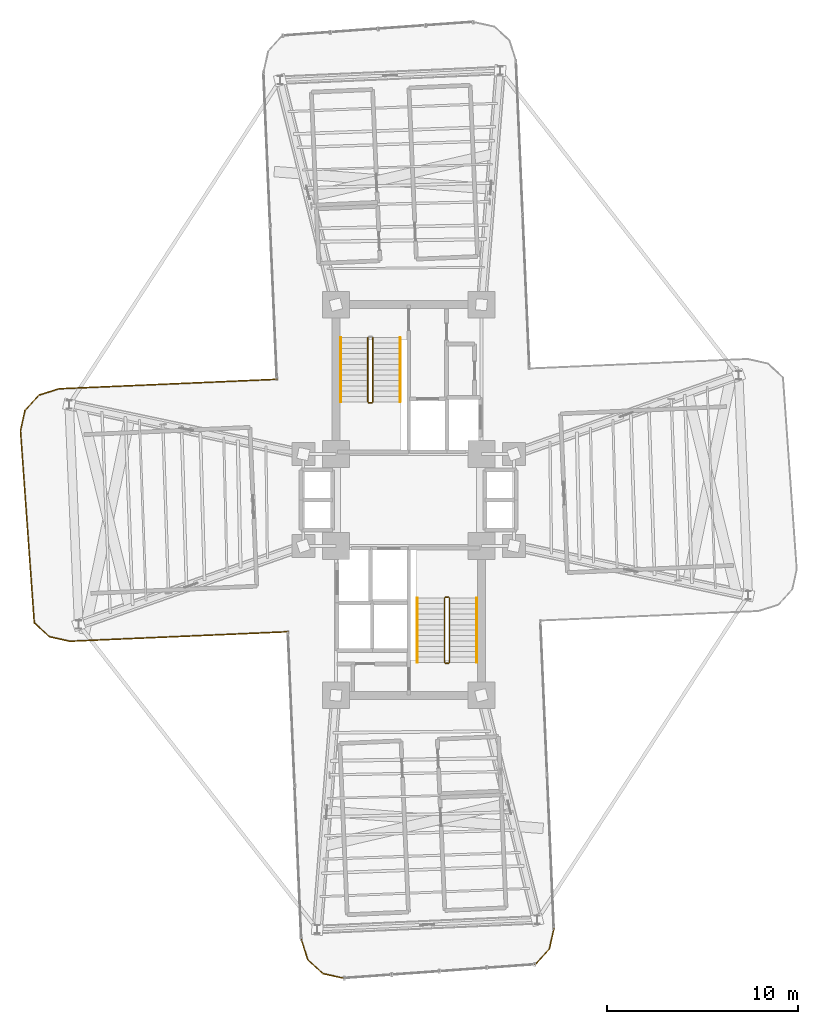
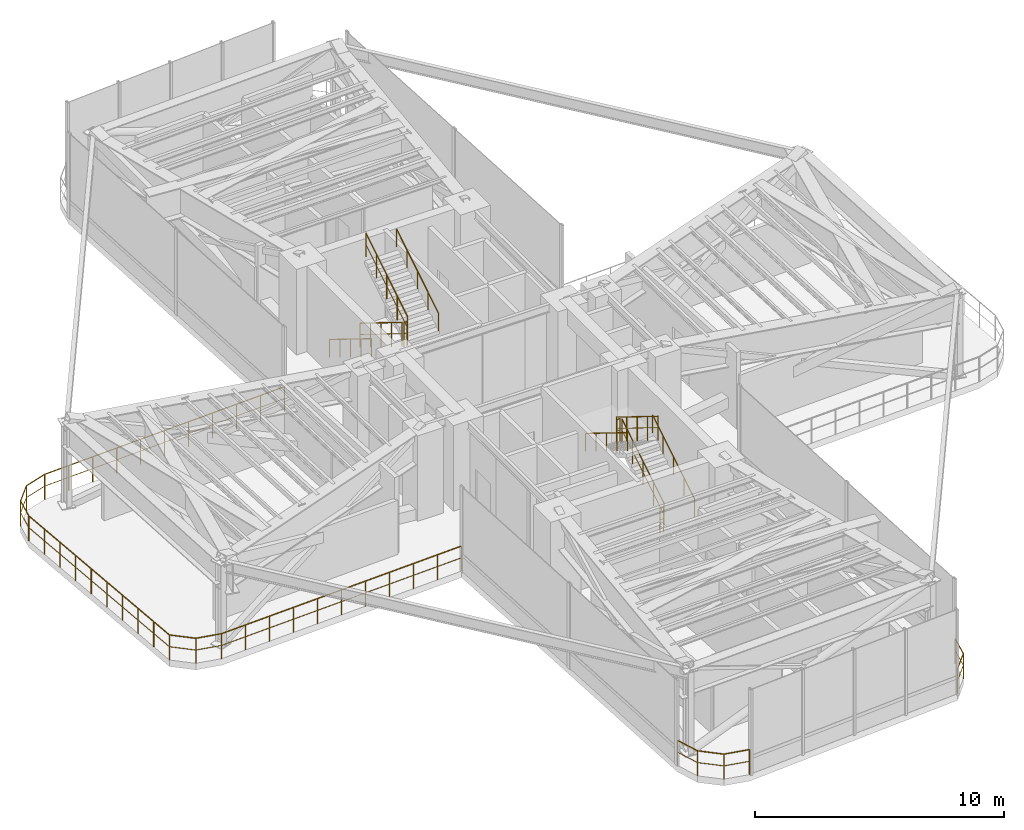
# One storey, part 17 of 18: 24 railings.
"""IFC4 building model written with IfcOpenShell, lengths in metres."""

from ifc_helpers import new_model, si_unit, direction, frame, origin, origin_2d, place, context, subcontext, project, spatial, circle, extrude, material, type_object, element, save


model = new_model("IFC4")

# Units and contexts
model_context = context("Model", 3, precision=1e-05, world=origin(), true_north=direction((0.0, 1.0)))
body_context = subcontext(model_context, "Body", "Model", "MODEL_VIEW")
ifc_project = project(units=[si_unit("LENGTHUNIT", "METRE"), si_unit("AREAUNIT", "SQUARE_METRE"), si_unit("VOLUMEUNIT", "CUBIC_METRE"), si_unit("PLANEANGLEUNIT", "RADIAN"), si_unit("MASSUNIT", "GRAM", prefix="KILO")], contexts=[model_context])

# Site, building, storey
site_placement = place(None, origin())
site = spatial("IfcSite", under=ifc_project, at=site_placement, CompositionType="ELEMENT")
building_placement = place(site_placement, origin())
building = spatial("IfcBuilding", under=site, at=building_placement, Name="Sahyath Konkavel Grand Hotel", CompositionType="ELEMENT")
storey_placement = place(building_placement, frame((0.0, 0.0, 138.25)))
storey = spatial("IfcBuildingStorey", under=building, at=storey_placement, Name="L38", CompositionType="ELEMENT", Elevation=138.25)

# Railings
ifc_material_1 = material(Name="Steel E350", Category="steel")
railing_type_1 = type_object("IfcRailingType", Name="RLG-STAIR-GRD", PredefinedType="GUARDRAIL", material=ifc_material_1)
railing_1_placement = place(storey_placement, frame((-2.1298828125, 8.47998046875, 0.173095703125)))
element("IfcRailing", 1, at=railing_1_placement, inside=storey, type_object=railing_type_1, Name="L38 ST-1 stair guard 1", PredefinedType="GUARDRAIL", context=body_context, shape_type="SweptSolid", body=[
    extrude(circle(Radius=0.02392578125, at=origin_2d()), frame((0.0, -0.001708984375, 1.177001953125), z_axis=(0.0, -0.850606129759, 0.525803396734), x_axis=(1.0, 0.0, 0.0)), (0.0, 0.0, 1.0), 3.946044921875),
    extrude(circle(Radius=0.01416015625, at=origin_2d()), frame((0.0, -0.001708984375, 0.625), z_axis=(0.0, -0.850606129759, 0.525803396734), x_axis=(1.0, 0.0, 0.0)), (0.0, 0.0, 1.0), 3.946044921875),
    extrude(circle(Radius=0.02099609375, at=origin_2d()), origin(), (0.0, 0.0, 1.0), 1.15185546875),
    extrude(circle(Radius=0.02099609375, at=origin_2d()), frame((0.0, -0.83984375, 0.519287109375)), (0.0, 0.0, 1.0), 1.15185546875),
    extrude(circle(Radius=0.02099609375, at=origin_2d()), frame((0.0, -1.679931640625, 1.03857421875)), (0.0, 0.0, 1.0), 1.15185546875),
    extrude(circle(Radius=0.02099609375, at=origin_2d()), frame((0.0, -2.52001953125, 1.5576171875)), (0.0, 0.0, 1.0), 1.15185546875),
    extrude(circle(Radius=0.02099609375, at=origin_2d()), frame((0.0, -3.35986328125, 2.076904296875)), (0.0, 0.0, 1.0), 1.15185546875),
])
railing_2_placement = place(storey_placement, frame((-2.080078125, 5.070068359375, 2.25)))
element("IfcRailing", 2, at=railing_2_placement, inside=storey, type_object=railing_type_1, Name="L38 ST-1 stair guard 2", PredefinedType="GUARDRAIL", context=body_context, shape_type="SweptSolid", body=[
    extrude(circle(Radius=0.02392578125, at=origin_2d()), frame((0.001953125, 0.0, 1.17578125), z_axis=(1.0, 0.0, 0.0), x_axis=(0.0, 1.0, 0.0)), (0.0, 0.0, 1.0), 0.15625),
    extrude(circle(Radius=0.01416015625, at=origin_2d()), frame((0.001953125, 0.0, 0.6240234375), z_axis=(1.0, 0.0, 0.0), x_axis=(0.0, 1.0, 0.0)), (0.0, 0.0, 1.0), 0.15625),
    extrude(circle(Radius=0.02099609375, at=origin_2d()), origin(), (0.0, 0.0, 1.0), 1.15185546875),
    extrude(circle(Radius=0.02099609375, at=origin_2d()), frame((0.16015625, 0.0, 0.0)), (0.0, 0.0, 1.0), 1.15185546875),
])
for number, where, name in (
    (3, (-1.8701171875, 5.1201171875, 2.423095703125), "L38 ST-1 stair guard 3"),
    (4, (2.1298828125, -8.47998046875, 0.173095703125), "L38 ST-2 stair guard 1"),
):
    element("IfcRailing", number, at=place(storey_placement, frame(where)), inside=storey, type_object=railing_type_1, Name=name, PredefinedType="GUARDRAIL", context=body_context, shape_type="SweptSolid", body=[
        extrude(circle(Radius=0.02392578125, at=origin_2d()), frame((0.0, 0.001708984375, 1.177001953125), z_axis=(0.0, 0.850606129759, 0.525803396734), x_axis=(-1.0, 0.0, 0.0)), (0.0, 0.0, 1.0), 3.946044921875),
        extrude(circle(Radius=0.01416015625, at=origin_2d()), frame((0.0, 0.001708984375, 0.625), z_axis=(0.0, 0.850606129759, 0.525803396734), x_axis=(-1.0, 0.0, 0.0)), (0.0, 0.0, 1.0), 3.946044921875),
        extrude(circle(Radius=0.02099609375, at=origin_2d()), origin(), (0.0, 0.0, 1.0), 1.15185546875),
        extrude(circle(Radius=0.02099609375, at=origin_2d()), frame((0.0, 0.83984375, 0.519287109375)), (0.0, 0.0, 1.0), 1.15185546875),
        extrude(circle(Radius=0.02099609375, at=origin_2d()), frame((0.0, 1.679931640625, 1.03857421875)), (0.0, 0.0, 1.0), 1.15185546875),
        extrude(circle(Radius=0.02099609375, at=origin_2d()), frame((0.0, 2.52001953125, 1.5576171875)), (0.0, 0.0, 1.0), 1.15185546875),
        extrude(circle(Radius=0.02099609375, at=origin_2d()), frame((0.0, 3.35986328125, 2.076904296875)), (0.0, 0.0, 1.0), 1.15185546875),
    ])
railing_3_placement = place(storey_placement, frame((2.080078125, -5.070068359375, 2.25)))
element("IfcRailing", 5, at=railing_3_placement, inside=storey, type_object=railing_type_1, Name="L38 ST-2 stair guard 2", PredefinedType="GUARDRAIL", context=body_context, shape_type="SweptSolid", body=[
    extrude(circle(Radius=0.02392578125, at=origin_2d()), frame((-0.001953125, 0.0, 1.17578125), z_axis=(-1.0, 0.0, 0.0), x_axis=(0.0, -1.0, 0.0)), (0.0, 0.0, 1.0), 0.15625),
    extrude(circle(Radius=0.01416015625, at=origin_2d()), frame((-0.001953125, 0.0, 0.6240234375), z_axis=(-1.0, 0.0, 0.0), x_axis=(0.0, -1.0, 0.0)), (0.0, 0.0, 1.0), 0.15625),
    extrude(circle(Radius=0.02099609375, at=origin_2d()), origin(), (0.0, 0.0, 1.0), 1.15185546875),
    extrude(circle(Radius=0.02099609375, at=origin_2d()), frame((-0.16015625, 0.0, 0.0)), (0.0, 0.0, 1.0), 1.15185546875),
])
railing_4_placement = place(storey_placement, frame((1.8701171875, -5.1201171875, 2.423095703125)))
element("IfcRailing", 6, at=railing_4_placement, inside=storey, type_object=railing_type_1, Name="L38 ST-2 stair guard 3", PredefinedType="GUARDRAIL", context=body_context, shape_type="SweptSolid", body=[
    extrude(circle(Radius=0.02392578125, at=origin_2d()), frame((0.0, -0.001708984375, 1.177001953125), z_axis=(0.0, -0.850606129759, 0.525803396734), x_axis=(1.0, 0.0, 0.0)), (0.0, 0.0, 1.0), 3.946044921875),
    extrude(circle(Radius=0.01416015625, at=origin_2d()), frame((0.0, -0.001708984375, 0.625), z_axis=(0.0, -0.850606129759, 0.525803396734), x_axis=(1.0, 0.0, 0.0)), (0.0, 0.0, 1.0), 3.946044921875),
    extrude(circle(Radius=0.02099609375, at=origin_2d()), origin(), (0.0, 0.0, 1.0), 1.15185546875),
    extrude(circle(Radius=0.02099609375, at=origin_2d()), frame((0.0, -0.83984375, 0.519287109375)), (0.0, 0.0, 1.0), 1.15185546875),
    extrude(circle(Radius=0.02099609375, at=origin_2d()), frame((0.0, -1.679931640625, 1.03857421875)), (0.0, 0.0, 1.0), 1.15185546875),
    extrude(circle(Radius=0.02099609375, at=origin_2d()), frame((0.0, -2.52001953125, 1.5576171875)), (0.0, 0.0, 1.0), 1.15185546875),
    extrude(circle(Radius=0.02099609375, at=origin_2d()), frame((0.0, -3.35986328125, 2.076904296875)), (0.0, 0.0, 1.0), 1.15185546875),
])
railing_5_placement = place(storey_placement, frame((2.080078125, -8.530029296875, 0.0)))
element("IfcRailing", 7, at=railing_5_placement, inside=storey, type_object=railing_type_1, Name="L38 ST-2 stair guard 4", PredefinedType="GUARDRAIL", context=body_context, shape_type="SweptSolid", body=[
    extrude(circle(Radius=0.02392578125, at=origin_2d()), frame((-0.001953125, 0.0, 1.17578125), z_axis=(-1.0, 0.0, 0.0), x_axis=(0.0, -1.0, 0.0)), (0.0, 0.0, 1.0), 0.15625),
    extrude(circle(Radius=0.01416015625, at=origin_2d()), frame((-0.001953125, 0.0, 0.6240234375), z_axis=(-1.0, 0.0, 0.0), x_axis=(0.0, -1.0, 0.0)), (0.0, 0.0, 1.0), 0.15625),
    extrude(circle(Radius=0.02099609375, at=origin_2d()), origin(), (0.0, 0.0, 1.0), 1.15185546875),
    extrude(circle(Radius=0.02099609375, at=origin_2d()), frame((-0.16015625, 0.0, 0.0)), (0.0, 0.0, 1.0), 1.15185546875),
])
ifc_material_2 = material(Name="Anodised Bronze Aluminium", Category="aluminium")
railing_type_2 = type_object("IfcRailingType", Name="RLG-STAIR-HND", PredefinedType="HANDRAIL", material=ifc_material_2)
railing_6_placement = place(storey_placement, frame((-3.550048828125, 8.47998046875, 0.173095703125)))
element("IfcRailing", 8, at=railing_6_placement, inside=storey, type_object=railing_type_2, Name="L38 ST-1 stair handrail 1", PredefinedType="HANDRAIL", context=body_context, shape_type="SweptSolid", body=[
    extrude(circle(Radius=0.02392578125, at=origin_2d()), frame((0.0, -0.001708984375, 0.876953125), z_axis=(0.0, -0.850606129759, 0.525803396734), x_axis=(1.0, 0.0, 0.0)), (0.0, 0.0, 1.0), 3.946044921875),
    extrude(circle(Radius=0.02099609375, at=origin_2d()), origin(), (0.0, 0.0, 1.0), 0.851806640625),
    extrude(circle(Radius=0.02099609375, at=origin_2d()), frame((0.0, -0.83984375, 0.519287109375)), (0.0, 0.0, 1.0), 0.851806640625),
    extrude(circle(Radius=0.02099609375, at=origin_2d()), frame((0.0, -1.679931640625, 1.03857421875)), (0.0, 0.0, 1.0), 0.851806640625),
    extrude(circle(Radius=0.02099609375, at=origin_2d()), frame((0.0, -2.52001953125, 1.5576171875)), (0.0, 0.0, 1.0), 0.851806640625),
    extrude(circle(Radius=0.02099609375, at=origin_2d()), frame((0.0, -3.35986328125, 2.076904296875)), (0.0, 0.0, 1.0), 0.851806640625),
])
for number, where, name in (
    (9, (-0.449951171875, 5.1201171875, 2.423095703125), "L38 ST-1 stair handrail 2"),
    (10, (3.550048828125, -8.47998046875, 0.173095703125), "L38 ST-2 stair handrail 1"),
):
    element("IfcRailing", number, at=place(storey_placement, frame(where)), inside=storey, type_object=railing_type_2, Name=name, PredefinedType="HANDRAIL", context=body_context, shape_type="SweptSolid", body=[
        extrude(circle(Radius=0.02392578125, at=origin_2d()), frame((0.0, 0.001708984375, 0.876953125), z_axis=(0.0, 0.850606129759, 0.525803396734), x_axis=(-1.0, 0.0, 0.0)), (0.0, 0.0, 1.0), 3.946044921875),
        extrude(circle(Radius=0.02099609375, at=origin_2d()), origin(), (0.0, 0.0, 1.0), 0.851806640625),
        extrude(circle(Radius=0.02099609375, at=origin_2d()), frame((0.0, 0.83984375, 0.519287109375)), (0.0, 0.0, 1.0), 0.851806640625),
        extrude(circle(Radius=0.02099609375, at=origin_2d()), frame((0.0, 1.679931640625, 1.03857421875)), (0.0, 0.0, 1.0), 0.851806640625),
        extrude(circle(Radius=0.02099609375, at=origin_2d()), frame((0.0, 2.52001953125, 1.5576171875)), (0.0, 0.0, 1.0), 0.851806640625),
        extrude(circle(Radius=0.02099609375, at=origin_2d()), frame((0.0, 3.35986328125, 2.076904296875)), (0.0, 0.0, 1.0), 0.851806640625),
    ])
railing_7_placement = place(storey_placement, frame((0.449951171875, -5.1201171875, 2.423095703125)))
element("IfcRailing", 11, at=railing_7_placement, inside=storey, type_object=railing_type_2, Name="L38 ST-2 stair handrail 2", PredefinedType="HANDRAIL", context=body_context, shape_type="SweptSolid", body=[
    extrude(circle(Radius=0.02392578125, at=origin_2d()), frame((0.0, -0.001708984375, 0.876953125), z_axis=(0.0, -0.850606129759, 0.525803396734), x_axis=(1.0, 0.0, 0.0)), (0.0, 0.0, 1.0), 3.946044921875),
    extrude(circle(Radius=0.02099609375, at=origin_2d()), origin(), (0.0, 0.0, 1.0), 0.851806640625),
    extrude(circle(Radius=0.02099609375, at=origin_2d()), frame((0.0, -0.83984375, 0.519287109375)), (0.0, 0.0, 1.0), 0.851806640625),
    extrude(circle(Radius=0.02099609375, at=origin_2d()), frame((0.0, -1.679931640625, 1.03857421875)), (0.0, 0.0, 1.0), 0.851806640625),
    extrude(circle(Radius=0.02099609375, at=origin_2d()), frame((0.0, -2.52001953125, 1.5576171875)), (0.0, 0.0, 1.0), 0.851806640625),
    extrude(circle(Radius=0.02099609375, at=origin_2d()), frame((0.0, -3.35986328125, 2.076904296875)), (0.0, 0.0, 1.0), 0.851806640625),
])
ifc_material_3 = material(Name="Warm Buff Sandstone & Bronze Balustrade", Category="masonry")
railing_type_3 = type_object("IfcRailingType", Name="RLG-TERR-1250", PredefinedType="BALUSTRADE", material=ifc_material_3)
railing_8_placement = place(storey_placement, frame((-6.881591796875, 6.305908203125, 0.0)))
element("IfcRailing", 12, at=railing_8_placement, inside=storey, type_object=railing_type_3, Name="L38 Fire Refuge Perimeter Guard 16", PredefinedType="BALUSTRADE", context=body_context, shape_type="SweptSolid", body=[
    extrude(circle(Radius=0.02392578125, at=origin_2d()), frame((-0.001953125, 0.0, 1.22607421875), z_axis=(-0.999048019042, -0.04362402604, 0.0), x_axis=(0.04362402604, -0.999048019042, 0.0)), (0.0, 0.0, 1.0), 11.39599609375),
    extrude(circle(Radius=0.01416015625, at=origin_2d()), frame((-0.001953125, 0.0, 0.64990234375), z_axis=(-0.999048019042, -0.04362402604, 0.0), x_axis=(0.04362402604, -0.999048019042, 0.0)), (0.0, 0.0, 1.0), 11.39599609375),
    extrude(circle(Radius=0.02099609375, at=origin_2d()), origin(), (0.0, 0.0, 1.0), 1.201904296875),
    extrude(circle(Radius=0.02099609375, at=origin_2d()), frame((-1.138916015625, -0.0498046875, 0.0)), (0.0, 0.0, 1.0), 1.201904296875),
    extrude(circle(Radius=0.02099609375, at=origin_2d()), frame((-2.27783203125, -0.099365234375, 0.0)), (0.0, 0.0, 1.0), 1.201904296875),
    extrude(circle(Radius=0.02099609375, at=origin_2d()), frame((-3.416748046875, -0.149169921875, 0.0)), (0.0, 0.0, 1.0), 1.201904296875),
    extrude(circle(Radius=0.02099609375, at=origin_2d()), frame((-4.5556640625, -0.198974609375, 0.0)), (0.0, 0.0, 1.0), 1.201904296875),
    extrude(circle(Radius=0.02099609375, at=origin_2d()), frame((-5.694580078125, -0.24853515625, 0.0)), (0.0, 0.0, 1.0), 1.201904296875),
    extrude(circle(Radius=0.02099609375, at=origin_2d()), frame((-6.83349609375, -0.29833984375, 0.0)), (0.0, 0.0, 1.0), 1.201904296875),
    extrude(circle(Radius=0.02099609375, at=origin_2d()), frame((-7.972412109375, -0.34814453125, 0.0)), (0.0, 0.0, 1.0), 1.201904296875),
    extrude(circle(Radius=0.02099609375, at=origin_2d()), frame((-9.111328125, -0.39794921875, 0.0)), (0.0, 0.0, 1.0), 1.201904296875),
    extrude(circle(Radius=0.02099609375, at=origin_2d()), frame((-10.250244140625, -0.447509765625, 0.0)), (0.0, 0.0, 1.0), 1.201904296875),
    extrude(circle(Radius=0.02099609375, at=origin_2d()), frame((-11.38916015625, -0.497314453125, 0.0)), (0.0, 0.0, 1.0), 1.201904296875),
])
railing_9_placement = place(storey_placement, frame((-18.270751953125, 5.80859375, 0.0)))
element("IfcRailing", 13, at=railing_9_placement, inside=storey, type_object=railing_type_3, Name="L38 Fire Refuge Perimeter Guard 17", PredefinedType="BALUSTRADE", context=body_context, shape_type="SweptSolid", body=[
    extrude(circle(Radius=0.02392578125, at=origin_2d()), frame((-0.001953125, -0.00048828125, 1.22607421875), z_axis=(-0.953721713582, -0.30069069331, 0.0), x_axis=(0.30069069331, -0.953721713582, 0.0)), (0.0, 0.0, 1.0), 1.083251953125),
    extrude(circle(Radius=0.01416015625, at=origin_2d()), frame((-0.001953125, -0.00048828125, 0.64990234375), z_axis=(-0.953721713582, -0.30069069331, 0.0), x_axis=(0.30069069331, -0.953721713582, 0.0)), (0.0, 0.0, 1.0), 1.083251953125),
    extrude(circle(Radius=0.02099609375, at=origin_2d()), origin(), (0.0, 0.0, 1.0), 1.201904296875),
    extrude(circle(Radius=0.02099609375, at=origin_2d()), frame((-1.036865234375, -0.326904296875, 0.0)), (0.0, 0.0, 1.0), 1.201904296875),
])
railing_10_placement = place(storey_placement, frame((-19.3076171875, 5.481689453125, 0.0)))
element("IfcRailing", 14, at=railing_10_placement, inside=storey, type_object=railing_type_3, Name="L38 Fire Refuge Perimeter Guard 18", PredefinedType="BALUSTRADE", context=body_context, shape_type="SweptSolid", body=[
    extrude(circle(Radius=0.02392578125, at=origin_2d()), frame((-0.00146484375, -0.00146484375, 1.22607421875), z_axis=(-0.675551721847, -0.737312600672, 0.0), x_axis=(0.737312600672, -0.675551721847, 0.0)), (0.0, 0.0, 1.0), 1.0830078125),
    extrude(circle(Radius=0.01416015625, at=origin_2d()), frame((-0.00146484375, -0.00146484375, 0.64990234375), z_axis=(-0.675551721847, -0.737312600672, 0.0), x_axis=(0.737312600672, -0.675551721847, 0.0)), (0.0, 0.0, 1.0), 1.0830078125),
    extrude(circle(Radius=0.02099609375, at=origin_2d()), origin(), (0.0, 0.0, 1.0), 1.201904296875),
    extrude(circle(Radius=0.02099609375, at=origin_2d()), frame((-0.734375, -0.801513671875, 0.0)), (0.0, 0.0, 1.0), 1.201904296875),
])
railing_11_placement = place(storey_placement, frame((-20.0419921875, 4.68017578125, 0.0)))
element("IfcRailing", 15, at=railing_11_placement, inside=storey, type_object=railing_type_3, Name="L38 Fire Refuge Perimeter Guard 19", PredefinedType="BALUSTRADE", context=body_context, shape_type="SweptSolid", body=[
    extrude(circle(Radius=0.02392578125, at=origin_2d()), frame((-0.00048828125, -0.001953125, 1.22607421875), z_axis=(-0.216288323511, -0.976329535102, 0.0), x_axis=(0.976329535102, -0.216288323511, 0.0)), (0.0, 0.0, 1.0), 1.0830078125),
    extrude(circle(Radius=0.01416015625, at=origin_2d()), frame((-0.00048828125, -0.001953125, 0.64990234375), z_axis=(-0.216288323511, -0.976329535102, 0.0), x_axis=(0.976329535102, -0.216288323511, 0.0)), (0.0, 0.0, 1.0), 1.0830078125),
    extrude(circle(Radius=0.02099609375, at=origin_2d()), origin(), (0.0, 0.0, 1.0), 1.201904296875),
    extrude(circle(Radius=0.02099609375, at=origin_2d()), frame((-0.235107421875, -1.061279296875, 0.0)), (0.0, 0.0, 1.0), 1.201904296875),
])
railing_12_placement = place(storey_placement, frame((-20.277099609375, 3.618896484375, 0.0)))
element("IfcRailing", 16, at=railing_12_placement, inside=storey, type_object=railing_type_3, Name="L38 Fire Refuge Perimeter Guard 20", PredefinedType="BALUSTRADE", context=body_context, shape_type="SweptSolid", body=[
    extrude(circle(Radius=0.02392578125, at=origin_2d()), frame((0.000244140625, -0.001953125, 1.22607421875), z_axis=(0.071562852438, -0.997436092264, 0.0), x_axis=(0.997436092264, 0.071562852438, 0.0)), (0.0, 0.0, 1.0), 10.0498046875),
    extrude(circle(Radius=0.01416015625, at=origin_2d()), frame((0.000244140625, -0.001953125, 0.64990234375), z_axis=(0.071562852438, -0.997436092264, 0.0), x_axis=(0.997436092264, 0.071562852438, 0.0)), (0.0, 0.0, 1.0), 10.0498046875),
    extrude(circle(Radius=0.02099609375, at=origin_2d()), origin(), (0.0, 0.0, 1.0), 1.201904296875),
    extrude(circle(Radius=0.02099609375, at=origin_2d()), frame((0.079833984375, -1.1142578125, 0.0)), (0.0, 0.0, 1.0), 1.201904296875),
    extrude(circle(Radius=0.02099609375, at=origin_2d()), frame((0.159912109375, -2.228515625, 0.0)), (0.0, 0.0, 1.0), 1.201904296875),
    extrude(circle(Radius=0.02099609375, at=origin_2d()), frame((0.23974609375, -3.3427734375, 0.0)), (0.0, 0.0, 1.0), 1.201904296875),
    extrude(circle(Radius=0.02099609375, at=origin_2d()), frame((0.31982421875, -4.45703125, 0.0)), (0.0, 0.0, 1.0), 1.201904296875),
    extrude(circle(Radius=0.02099609375, at=origin_2d()), frame((0.399658203125, -5.571044921875, 0.0)), (0.0, 0.0, 1.0), 1.201904296875),
    extrude(circle(Radius=0.02099609375, at=origin_2d()), frame((0.479736328125, -6.685302734375, 0.0)), (0.0, 0.0, 1.0), 1.201904296875),
    extrude(circle(Radius=0.02099609375, at=origin_2d()), frame((0.5595703125, -7.799560546875, 0.0)), (0.0, 0.0, 1.0), 1.201904296875),
    extrude(circle(Radius=0.02099609375, at=origin_2d()), frame((0.6396484375, -8.913818359375, 0.0)), (0.0, 0.0, 1.0), 1.201904296875),
    extrude(circle(Radius=0.02099609375, at=origin_2d()), frame((0.719482421875, -10.028076171875, 0.0)), (0.0, 0.0, 1.0), 1.201904296875),
])
railing_13_placement = place(storey_placement, frame((-19.5576171875, -6.4091796875, 0.0)))
element("IfcRailing", 17, at=railing_13_placement, inside=storey, type_object=railing_type_3, Name="L38 Fire Refuge Perimeter Guard 21", PredefinedType="BALUSTRADE", context=body_context, shape_type="SweptSolid", body=[
    extrude(circle(Radius=0.02392578125, at=origin_2d()), frame((0.00146484375, -0.00146484375, 1.22607421875), z_axis=(0.737210081318, -0.675663596772, 0.0), x_axis=(0.675663596772, 0.737210081318, 0.0)), (0.0, 0.0, 1.0), 1.0830078125),
    extrude(circle(Radius=0.01416015625, at=origin_2d()), frame((0.00146484375, -0.00146484375, 0.64990234375), z_axis=(0.737210081318, -0.675663596772, 0.0), x_axis=(0.675663596772, 0.737210081318, 0.0)), (0.0, 0.0, 1.0), 1.0830078125),
    extrude(circle(Radius=0.02099609375, at=origin_2d()), origin(), (0.0, 0.0, 1.0), 1.201904296875),
    extrude(circle(Radius=0.02099609375, at=origin_2d()), frame((0.80126953125, -0.734375, 0.0)), (0.0, 0.0, 1.0), 1.201904296875),
])
railing_14_placement = place(storey_placement, frame((-18.75634765625, -7.1435546875, 0.0)))
element("IfcRailing", 18, at=railing_14_placement, inside=storey, type_object=railing_type_3, Name="L38 Fire Refuge Perimeter Guard 22", PredefinedType="BALUSTRADE", context=body_context, shape_type="SweptSolid", body=[
    extrude(circle(Radius=0.02392578125, at=origin_2d()), frame((0.001953125, -0.00048828125, 1.22607421875), z_axis=(0.976282085775, -0.216502399514, 0.0), x_axis=(0.216502399514, 0.976282085775, 0.0)), (0.0, 0.0, 1.0), 1.0830078125),
    extrude(circle(Radius=0.01416015625, at=origin_2d()), frame((0.001953125, -0.00048828125, 0.64990234375), z_axis=(0.976282085775, -0.216502399514, 0.0), x_axis=(0.216502399514, 0.976282085775, 0.0)), (0.0, 0.0, 1.0), 1.0830078125),
    extrude(circle(Radius=0.02099609375, at=origin_2d()), origin(), (0.0, 0.0, 1.0), 1.201904296875),
    extrude(circle(Radius=0.02099609375, at=origin_2d()), frame((1.061279296875, -0.2353515625, 0.0)), (0.0, 0.0, 1.0), 1.201904296875),
])
railing_15_placement = place(storey_placement, frame((-17.695068359375, -7.37890625, 0.0)))
element("IfcRailing", 19, at=railing_15_placement, inside=storey, type_object=railing_type_3, Name="L38 Fire Refuge Perimeter Guard 23", PredefinedType="BALUSTRADE", context=body_context, shape_type="SweptSolid", body=[
    extrude(circle(Radius=0.02392578125, at=origin_2d()), frame((0.001953125, 0.0, 1.22607421875), z_axis=(0.999048019042, 0.04362402604, 0.0), x_axis=(-0.04362402604, 0.999048019042, 0.0)), (0.0, 0.0, 1.0), 11.39599609375),
    extrude(circle(Radius=0.01416015625, at=origin_2d()), frame((0.001953125, 0.0, 0.64990234375), z_axis=(0.999048019042, 0.04362402604, 0.0), x_axis=(-0.04362402604, 0.999048019042, 0.0)), (0.0, 0.0, 1.0), 11.39599609375),
    extrude(circle(Radius=0.02099609375, at=origin_2d()), origin(), (0.0, 0.0, 1.0), 1.201904296875),
    extrude(circle(Radius=0.02099609375, at=origin_2d()), frame((1.138916015625, 0.0498046875, 0.0)), (0.0, 0.0, 1.0), 1.201904296875),
    extrude(circle(Radius=0.02099609375, at=origin_2d()), frame((2.27783203125, 0.099365234375, 0.0)), (0.0, 0.0, 1.0), 1.201904296875),
    extrude(circle(Radius=0.02099609375, at=origin_2d()), frame((3.416748046875, 0.149169921875, 0.0)), (0.0, 0.0, 1.0), 1.201904296875),
    extrude(circle(Radius=0.02099609375, at=origin_2d()), frame((4.5556640625, 0.198974609375, 0.0)), (0.0, 0.0, 1.0), 1.201904296875),
    extrude(circle(Radius=0.02099609375, at=origin_2d()), frame((5.694580078125, 0.24853515625, 0.0)), (0.0, 0.0, 1.0), 1.201904296875),
    extrude(circle(Radius=0.02099609375, at=origin_2d()), frame((6.83349609375, 0.29833984375, 0.0)), (0.0, 0.0, 1.0), 1.201904296875),
    extrude(circle(Radius=0.02099609375, at=origin_2d()), frame((7.972412109375, 0.34814453125, 0.0)), (0.0, 0.0, 1.0), 1.201904296875),
    extrude(circle(Radius=0.02099609375, at=origin_2d()), frame((9.111328125, 0.39794921875, 0.0)), (0.0, 0.0, 1.0), 1.201904296875),
    extrude(circle(Radius=0.02099609375, at=origin_2d()), frame((10.250244140625, 0.447509765625, 0.0)), (0.0, 0.0, 1.0), 1.201904296875),
    extrude(circle(Radius=0.02099609375, at=origin_2d()), frame((11.38916015625, 0.497314453125, 0.0)), (0.0, 0.0, 1.0), 1.201904296875),
])
railing_16_placement = place(storey_placement, frame((-5.603515625, -22.96630859375, 0.0)))
element("IfcRailing", 20, at=railing_16_placement, inside=storey, type_object=railing_type_3, Name="L38 Fire Refuge Perimeter Guard 25", PredefinedType="BALUSTRADE", context=body_context, shape_type="SweptSolid", body=[
    extrude(circle(Radius=0.02392578125, at=origin_2d()), frame((0.00048828125, -0.001953125, 1.22607421875), z_axis=(0.300755105707, -0.953701403161, 0.0), x_axis=(0.953701403161, 0.300755105707, 0.0)), (0.0, 0.0, 1.0), 1.0830078125),
    extrude(circle(Radius=0.01416015625, at=origin_2d()), frame((0.00048828125, -0.001953125, 0.64990234375), z_axis=(0.300755105707, -0.953701403161, 0.0), x_axis=(0.953701403161, 0.300755105707, 0.0)), (0.0, 0.0, 1.0), 1.0830078125),
    extrude(circle(Radius=0.02099609375, at=origin_2d()), origin(), (0.0, 0.0, 1.0), 1.201904296875),
    extrude(circle(Radius=0.02099609375, at=origin_2d()), frame((0.326904296875, -1.03662109375, 0.0)), (0.0, 0.0, 1.0), 1.201904296875),
])
railing_17_placement = place(storey_placement, frame((-5.276611328125, -24.0029296875, 0.0)))
element("IfcRailing", 21, at=railing_17_placement, inside=storey, type_object=railing_type_3, Name="L38 Fire Refuge Perimeter Guard 26", PredefinedType="BALUSTRADE", context=body_context, shape_type="SweptSolid", body=[
    extrude(circle(Radius=0.02392578125, at=origin_2d()), frame((0.00146484375, -0.00146484375, 1.22607421875), z_axis=(0.737312600672, -0.675551721847, 0.0), x_axis=(0.675551721847, 0.737312600672, 0.0)), (0.0, 0.0, 1.0), 1.0830078125),
    extrude(circle(Radius=0.01416015625, at=origin_2d()), frame((0.00146484375, -0.00146484375, 0.64990234375), z_axis=(0.737312600672, -0.675551721847, 0.0), x_axis=(0.675551721847, 0.737312600672, 0.0)), (0.0, 0.0, 1.0), 1.0830078125),
    extrude(circle(Radius=0.02099609375, at=origin_2d()), origin(), (0.0, 0.0, 1.0), 1.201904296875),
    extrude(circle(Radius=0.02099609375, at=origin_2d()), frame((0.801513671875, -0.734375, 0.0)), (0.0, 0.0, 1.0), 1.201904296875),
])
railing_18_placement = place(storey_placement, frame((-4.47509765625, -24.7373046875, 0.0)))
element("IfcRailing", 22, at=railing_18_placement, inside=storey, type_object=railing_type_3, Name="L38 Fire Refuge Perimeter Guard 27", PredefinedType="BALUSTRADE", context=body_context, shape_type="SweptSolid", body=[
    extrude(circle(Radius=0.02392578125, at=origin_2d()), frame((0.001953125, -0.00048828125, 1.22607421875), z_axis=(0.976271555154, -0.216549880158, 0.0), x_axis=(0.216549880158, 0.976271555154, 0.0)), (0.0, 0.0, 1.0), 1.082763671875),
    extrude(circle(Radius=0.01416015625, at=origin_2d()), frame((0.001953125, -0.00048828125, 0.64990234375), z_axis=(0.976271555154, -0.216549880158, 0.0), x_axis=(0.216549880158, 0.976271555154, 0.0)), (0.0, 0.0, 1.0), 1.082763671875),
    extrude(circle(Radius=0.02099609375, at=origin_2d()), origin(), (0.0, 0.0, 1.0), 1.201904296875),
    extrude(circle(Radius=0.02099609375, at=origin_2d()), frame((1.06103515625, -0.2353515625, 0.0)), (0.0, 0.0, 1.0), 1.201904296875),
])
railing_19_placement = place(storey_placement, frame((6.6142578125, -24.253173828125, 0.0)))
element("IfcRailing", 23, at=railing_19_placement, inside=storey, type_object=railing_type_3, Name="L38 Fire Refuge Perimeter Guard 29", PredefinedType="BALUSTRADE", context=body_context, shape_type="SweptSolid", body=[
    extrude(circle(Radius=0.02392578125, at=origin_2d()), frame((0.00146484375, 0.00146484375, 1.22607421875), z_axis=(0.675663596772, 0.737210081318, 0.0), x_axis=(-0.737210081318, 0.675663596772, 0.0)), (0.0, 0.0, 1.0), 1.0830078125),
    extrude(circle(Radius=0.01416015625, at=origin_2d()), frame((0.00146484375, 0.00146484375, 0.64990234375), z_axis=(0.675663596772, 0.737210081318, 0.0), x_axis=(-0.737210081318, 0.675663596772, 0.0)), (0.0, 0.0, 1.0), 1.0830078125),
    extrude(circle(Radius=0.02099609375, at=origin_2d()), origin(), (0.0, 0.0, 1.0), 1.201904296875),
    extrude(circle(Radius=0.02099609375, at=origin_2d()), frame((0.734375, 0.80126953125, 0.0)), (0.0, 0.0, 1.0), 1.201904296875),
])
railing_20_placement = place(storey_placement, frame((7.3486328125, -23.451904296875, 0.0)))
element("IfcRailing", 24, at=railing_20_placement, inside=storey, type_object=railing_type_3, Name="L38 Fire Refuge Perimeter Guard 30", PredefinedType="BALUSTRADE", context=body_context, shape_type="SweptSolid", body=[
    extrude(circle(Radius=0.02392578125, at=origin_2d()), frame((0.00048828125, 0.001953125, 1.22607421875), z_axis=(0.216454939174, 0.976292609471, 0.0), x_axis=(-0.976292609471, 0.216454939174, 0.0)), (0.0, 0.0, 1.0), 1.083251953125),
    extrude(circle(Radius=0.01416015625, at=origin_2d()), frame((0.00048828125, 0.001953125, 0.64990234375), z_axis=(0.216454939174, 0.976292609471, 0.0), x_axis=(-0.976292609471, 0.216454939174, 0.0)), (0.0, 0.0, 1.0), 1.083251953125),
    extrude(circle(Radius=0.02099609375, at=origin_2d()), origin(), (0.0, 0.0, 1.0), 1.201904296875),
    extrude(circle(Radius=0.02099609375, at=origin_2d()), frame((0.2353515625, 1.0615234375, 0.0)), (0.0, 0.0, 1.0), 1.201904296875),
])

save(model, "model.ifc")
